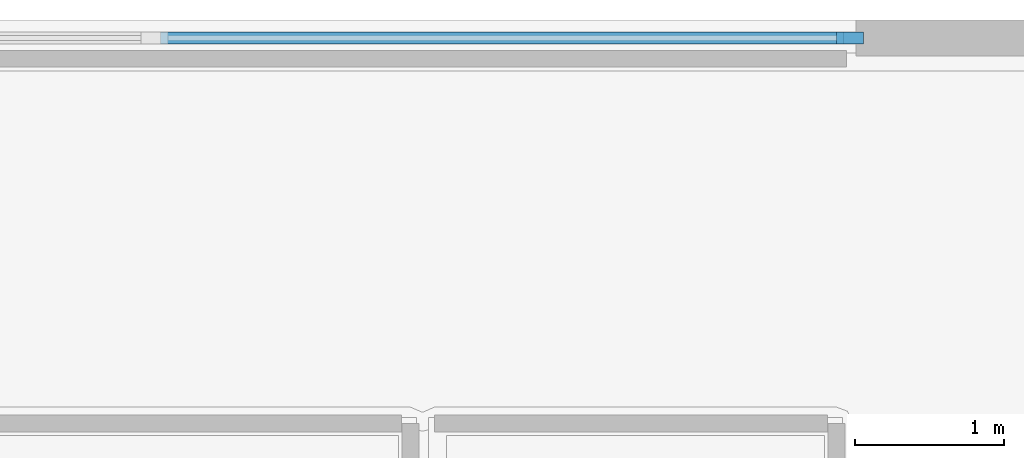
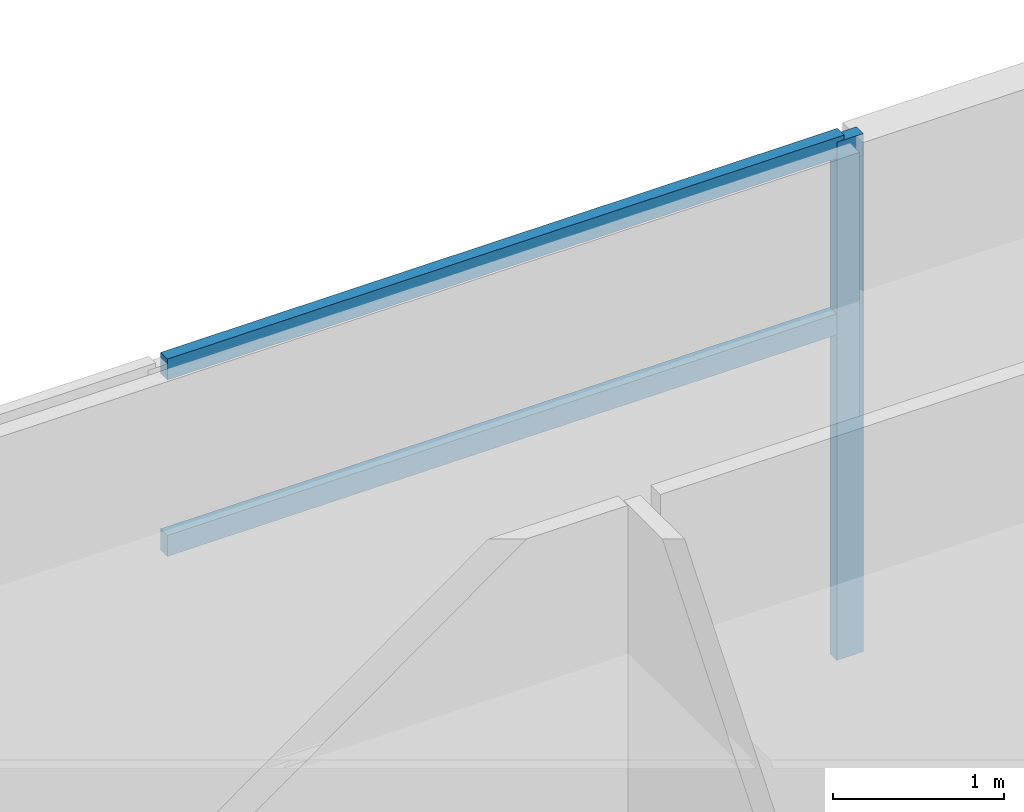
# One storey, part 2 of 8: 3 members, 1 element without a shape of its own.
"""IFC4 building model written with IfcOpenShell, lengths in metres."""

from ifc_helpers import new_model, si_unit, direction, frame, origin, origin_2d, place, context, subcontext, project, spatial, rectangle, extrude, material, layer, layer_set, material_profile, profile_set, type_object, element, aggregate, save


model = new_model("IFC4")

# Units and contexts
model_context = context("Model", 3, precision=1e-05, world=origin(), true_north=direction((0.0, 1.0)))
body_context = subcontext(model_context, "Body", "Model", "MODEL_VIEW")
ifc_project = project(units=[si_unit("LENGTHUNIT", "METRE"), si_unit("AREAUNIT", "SQUARE_METRE"), si_unit("VOLUMEUNIT", "CUBIC_METRE"), si_unit("PLANEANGLEUNIT", "RADIAN"), si_unit("MASSUNIT", "GRAM", prefix="KILO")], contexts=[model_context])

# Site, building, storey
site_placement = place(None, origin())
site = spatial("IfcSite", under=ifc_project, at=site_placement, CompositionType="ELEMENT")
building_placement = place(site_placement, origin())
building = spatial("IfcBuilding", under=site, at=building_placement, Name="Caeloran Harvest Quay", CompositionType="ELEMENT")
storey_placement = place(building_placement, frame((0.0, 0.0, 260.64990234375)))
storey = spatial("IfcBuildingStorey", under=building, at=storey_placement, Name="L62", CompositionType="ELEMENT", Elevation=260.64990234375)

# Curtain wall, members
ifc_material_1 = material(Name="Aluminium 6063-T6 and Low-E Glazing", Category="aluminium")
ifc_layer = layer(ifc_material_1, 0.219970703125, Name="Aluminium 6063-T6 and Low-E Glazing")
ifc_layer_set = layer_set([ifc_layer], Name="Aluminium 6063-T6 and Low-E Glazing")
curtain_wall_type = type_object("IfcCurtainWallType", Name="CW-SYS-CW-5", PredefinedType="USERDEFINED", material=ifc_layer_set)
curtain_wall_placement = place(storey_placement, origin())
curtain_wall = element("IfcCurtainWall", 1, at=curtain_wall_placement, inside=storey, type_object=curtain_wall_type, Name="L62 Unitised Curtain Wall CW-5 Run 6", ObjectType="CURTAIN_WALL", PredefinedType="USERDEFINED")
ifc_material_2 = material(Name="Aluminium 6063-T6", Category="aluminium")
ifc_material_profile_1 = material_profile(ifc_material_2, rectangle(XDim=0.080078125, YDim=0.179931640625, at=origin_2d()), Name="CW-MULLION-180")
ifc_profile_set_1 = profile_set([ifc_material_profile_1], Name="Aluminium 6063-T6")
member_type_1 = type_object("IfcMemberType", Name="CW-MULLION-180", PredefinedType="MULLION", material=ifc_profile_set_1)
member_1_placement = place(storey_placement, frame((30.43994140625, 43.3798828125, 0.0), z_axis=(0.0, 0.0, 1.0), x_axis=(0.0, 1.0, 0.0)))
member_1 = element("IfcMember", 2, at=member_1_placement, type_object=member_type_1, Name="CW-5 mullion 6", PredefinedType="MULLION", context=body_context, shape_type="SweptSolid", body=[
    extrude(rectangle(XDim=0.080078125, YDim=0.179931640625, at=origin_2d()), origin(), (0.0, 0.0, 1.0), 3.7001953125),
])
ifc_material_profile_2 = material_profile(ifc_material_2, rectangle(XDim=0.080078125, YDim=0.14990234375, at=origin_2d()), Name="CW-TRANSOM-150")
ifc_profile_set_2 = profile_set([ifc_material_profile_2], Name="Aluminium 6063-T6")
member_type_2 = type_object("IfcMemberType", Name="CW-TRANSOM-150", PredefinedType="USERDEFINED", material=ifc_profile_set_2)
member_2_placement = place(storey_placement, frame((25.827880859375, 43.3798828125, 2.400146484375), z_axis=(1.0, 0.0, 0.0), x_axis=(0.0, 1.0, 0.0)))
member_2 = element("IfcMember", 3, at=member_2_placement, type_object=member_type_2, Name="CW-5 transom 5.2", ObjectType="TRANSOM", PredefinedType="USERDEFINED", context=body_context, shape_type="SweptSolid", body=[
    extrude(rectangle(XDim=0.080078125, YDim=0.14990234375, at=origin_2d()), origin(), (0.0, 0.0, 1.0), 4.572021484375),
])
member_3_placement = place(storey_placement, frame((25.827880859375, 43.3798828125, 3.66015625), z_axis=(1.0, 0.0, 0.0), x_axis=(0.0, 1.0, 0.0)))
member_3 = element("IfcMember", 4, at=member_3_placement, type_object=member_type_2, Name="CW-5 transom 5.3", ObjectType="TRANSOM", PredefinedType="USERDEFINED", context=body_context, shape_type="SweptSolid", body=[
    extrude(rectangle(XDim=0.080078125, YDim=0.14990234375, at=origin_2d()), origin(), (0.0, 0.0, 1.0), 4.572021484375),
])
aggregate(curtain_wall, [member_1, member_2, member_3])

save(model, "model.ifc")
